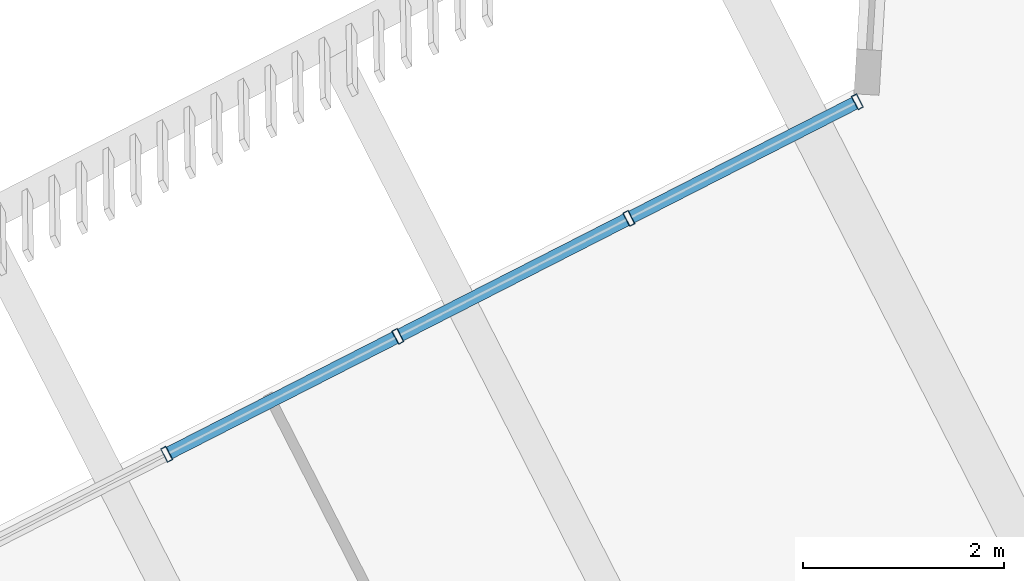
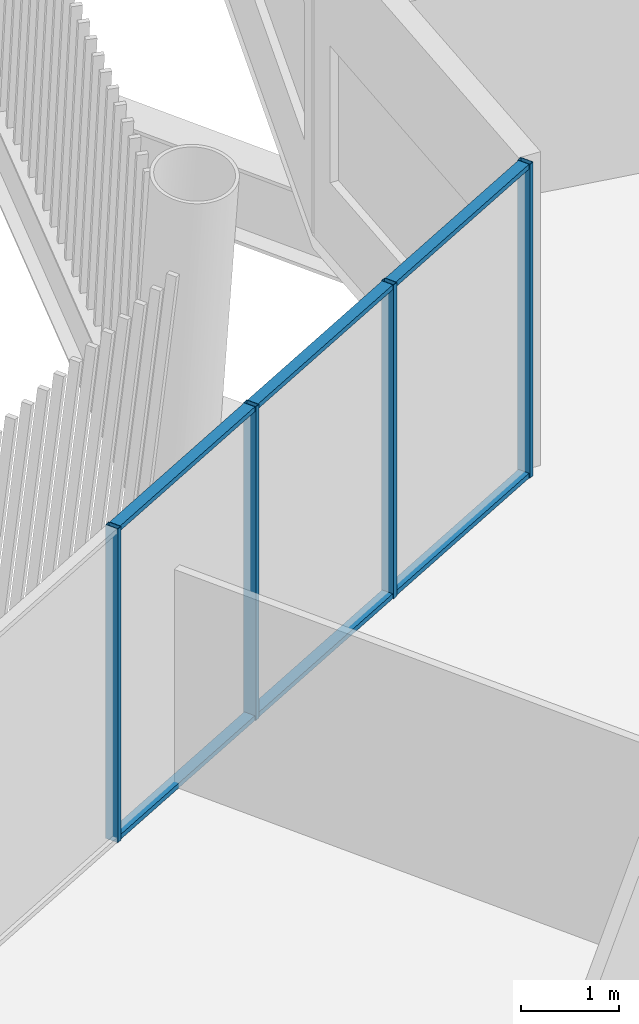
# One storey, part 12 of 28: 10 members, 1 element without a shape of its own.
"""IFC4 building model written with IfcOpenShell, lengths in metres."""

from ifc_helpers import new_model, si_unit, direction, frame, origin, origin_2d, place, context, subcontext, project, spatial, hollow_rectangle, extrude, material, layer, layer_set, material_profile, profile_set, type_object, element, aggregate, save


model = new_model("IFC4")

# Units and contexts
model_context = context("Model", 3, precision=1e-05, world=origin(), true_north=direction((0.0, 1.0)))
body_context = subcontext(model_context, "Body", "Model", "MODEL_VIEW")
ifc_project = project(units=[si_unit("LENGTHUNIT", "METRE"), si_unit("AREAUNIT", "SQUARE_METRE"), si_unit("VOLUMEUNIT", "CUBIC_METRE"), si_unit("PLANEANGLEUNIT", "RADIAN"), si_unit("MASSUNIT", "GRAM", prefix="KILO")], contexts=[model_context])

# Site, building, storey
site_placement = place(None, origin())
site = spatial("IfcSite", under=ifc_project, at=site_placement, CompositionType="ELEMENT")
building_placement = place(site_placement, origin())
building = spatial("IfcBuilding", under=site, at=building_placement, Name="Tarsis Ring Headquarters", CompositionType="ELEMENT")
storey_placement = place(building_placement, frame((0.0, 0.0, 394.39990234375)))
storey = spatial("IfcBuildingStorey", under=building, at=storey_placement, Name="L93", CompositionType="ELEMENT", Elevation=394.39990234375)

# Curtain wall, members
ifc_material_1 = material(Name="Aluminium curtain wall", Category="aluminium")
ifc_layer = layer(ifc_material_1, 0.14990234375)
ifc_layer_set = layer_set([ifc_layer], Name="Curtain wall tower unit")
curtain_wall_type = type_object("IfcCurtainWallType", Name="Curtain wall tower unit", PredefinedType="NOTDEFINED", material=ifc_layer_set)
curtain_wall_placement = place(storey_placement, origin())
curtain_wall = element("IfcCurtainWall", 1, at=curtain_wall_placement, inside=storey, type_object=curtain_wall_type, Name="Curtain wall L93-31", PredefinedType="NOTDEFINED")
ifc_material_2 = material(Name="Aluminium mullion", Category="aluminium")
ifc_material_profile_1 = material_profile(ifc_material_2, hollow_rectangle(XDim=0.14990234375, YDim=0.06005859375, WallThickness=0.0048828125, at=origin_2d()), Name="RHS 150x60x5")
ifc_profile_set_1 = profile_set([ifc_material_profile_1], Name="Aluminium mullion")
member_type_1 = type_object("IfcMemberType", Name="Curtain wall mullion tower unit RHS 150x60x5", PredefinedType="MULLION", material=ifc_profile_set_1)
member_1_placement = place(storey_placement, frame((-25.7763671875, 0.176025390625, 0.0), z_axis=(0.0, 0.0, 1.0), x_axis=(0.454612459657, -0.890689346251, 0.0)))
member_1 = element("IfcMember", 2, at=member_1_placement, type_object=member_type_1, Name="CW-T mullion 1", PredefinedType="MULLION", context=body_context, shape_type="SweptSolid", body=[
    extrude(hollow_rectangle(XDim=0.14990234375, YDim=0.06005859375, WallThickness=0.0048828125, at=origin_2d()), origin(), (0.0, 0.0, 1.0), 3.900146484375),
])
member_2_placement = place(storey_placement, frame((-28.0478515625, -0.9833984375, 0.0), z_axis=(0.0, 0.0, 1.0), x_axis=(0.454612459657, -0.890689346251, 0.0)))
member_2 = element("IfcMember", 3, at=member_2_placement, type_object=member_type_1, Name="CW-T mullion 2", PredefinedType="MULLION", context=body_context, shape_type="SweptSolid", body=[
    extrude(hollow_rectangle(XDim=0.14990234375, YDim=0.06005859375, WallThickness=0.0048828125, at=origin_2d()), origin(), (0.0, 0.0, 1.0), 3.900146484375),
])
member_3_placement = place(storey_placement, frame((-30.345947265625, -2.156494140625, 0.0), z_axis=(0.0, 0.0, 1.0), x_axis=(0.454612459657, -0.890689346251, 0.0)))
member_3 = element("IfcMember", 4, at=member_3_placement, type_object=member_type_1, Name="CW-T mullion 3", PredefinedType="MULLION", context=body_context, shape_type="SweptSolid", body=[
    extrude(hollow_rectangle(XDim=0.14990234375, YDim=0.06005859375, WallThickness=0.0048828125, at=origin_2d()), origin(), (0.0, 0.0, 1.0), 3.900146484375),
])
member_4_placement = place(storey_placement, frame((-32.644287109375, -3.329345703125, 0.0), z_axis=(0.0, 0.0, 1.0), x_axis=(0.454612459657, -0.890689346251, 0.0)))
member_4 = element("IfcMember", 5, at=member_4_placement, type_object=member_type_1, Name="CW-T mullion 4", PredefinedType="MULLION", context=body_context, shape_type="SweptSolid", body=[
    extrude(hollow_rectangle(XDim=0.14990234375, YDim=0.06005859375, WallThickness=0.0048828125, at=origin_2d()), origin(), (0.0, 0.0, 1.0), 3.900146484375),
])
ifc_material_3 = material(Name="Aluminium transom", Category="aluminium")
ifc_material_profile_2 = material_profile(ifc_material_3, hollow_rectangle(XDim=0.1298828125, YDim=0.06005859375, WallThickness=0.0048828125, at=origin_2d()), Name="RHS 130x60x5")
ifc_profile_set_2 = profile_set([ifc_material_profile_2], Name="Aluminium transom")
member_type_2 = type_object("IfcMemberType", Name="Curtain wall transom tower unit RHS 130x60x5", PredefinedType="USERDEFINED", material=ifc_profile_set_2)
member_5_placement = place(storey_placement, frame((-25.802978515625, 0.162353515625, 0.030029296875), z_axis=(-0.890690580723, -0.454610041036, 0.0), x_axis=(0.454610041036, -0.890690580723, 0.0)))
member_5 = element("IfcMember", 6, at=member_5_placement, type_object=member_type_2, Name="CW-T transom 1.1", ObjectType="TRANSOM", PredefinedType="USERDEFINED", context=body_context, shape_type="SweptSolid", body=[
    extrude(hollow_rectangle(XDim=0.1298828125, YDim=0.06005859375, WallThickness=0.0048828125, at=origin_2d()), origin(), (0.0, 0.0, 1.0), 2.490234375),
])
member_6_placement = place(storey_placement, frame((-25.802978515625, 0.162353515625, 3.8701171875), z_axis=(-0.890690580723, -0.454610041036, 0.0), x_axis=(0.454610041036, -0.890690580723, 0.0)))
member_6 = element("IfcMember", 7, at=member_6_placement, type_object=member_type_2, Name="CW-T transom 1.2", ObjectType="TRANSOM", PredefinedType="USERDEFINED", context=body_context, shape_type="SweptSolid", body=[
    extrude(hollow_rectangle(XDim=0.1298828125, YDim=0.06005859375, WallThickness=0.0048828125, at=origin_2d()), origin(), (0.0, 0.0, 1.0), 2.490234375),
])
member_7_placement = place(storey_placement, frame((-28.074462890625, -0.9970703125, 0.030029296875), z_axis=(-0.890696236403, -0.454598960026, 0.0), x_axis=(0.454598960026, -0.890696236403, 0.0)))
member_7 = element("IfcMember", 8, at=member_7_placement, type_object=member_type_2, Name="CW-T transom 2.1", ObjectType="TRANSOM", PredefinedType="USERDEFINED", context=body_context, shape_type="SweptSolid", body=[
    extrude(hollow_rectangle(XDim=0.1298828125, YDim=0.06005859375, WallThickness=0.0048828125, at=origin_2d()), origin(), (0.0, 0.0, 1.0), 2.520263671875),
])
member_8_placement = place(storey_placement, frame((-28.074462890625, -0.9970703125, 3.8701171875), z_axis=(-0.890696236403, -0.454598960026, 0.0), x_axis=(0.454598960026, -0.890696236403, 0.0)))
member_8 = element("IfcMember", 9, at=member_8_placement, type_object=member_type_2, Name="CW-T transom 2.2", ObjectType="TRANSOM", PredefinedType="USERDEFINED", context=body_context, shape_type="SweptSolid", body=[
    extrude(hollow_rectangle(XDim=0.1298828125, YDim=0.06005859375, WallThickness=0.0048828125, at=origin_2d()), origin(), (0.0, 0.0, 1.0), 2.520263671875),
])
member_9_placement = place(storey_placement, frame((-30.372802734375, -2.169921875, 0.030029296875), z_axis=(-0.890676215164, -0.45463818553, 0.0), x_axis=(0.45463818553, -0.890676215164, 0.0)))
member_9 = element("IfcMember", 10, at=member_9_placement, type_object=member_type_2, Name="CW-T transom 3.1", ObjectType="TRANSOM", PredefinedType="USERDEFINED", context=body_context, shape_type="SweptSolid", body=[
    extrude(hollow_rectangle(XDim=0.1298828125, YDim=0.06005859375, WallThickness=0.0048828125, at=origin_2d()), origin(), (0.0, 0.0, 1.0), 2.52001953125),
])
member_10_placement = place(storey_placement, frame((-30.372802734375, -2.169921875, 3.8701171875), z_axis=(-0.890676215164, -0.45463818553, 0.0), x_axis=(0.45463818553, -0.890676215164, 0.0)))
member_10 = element("IfcMember", 11, at=member_10_placement, type_object=member_type_2, Name="CW-T transom 3.2", ObjectType="TRANSOM", PredefinedType="USERDEFINED", context=body_context, shape_type="SweptSolid", body=[
    extrude(hollow_rectangle(XDim=0.1298828125, YDim=0.06005859375, WallThickness=0.0048828125, at=origin_2d()), origin(), (0.0, 0.0, 1.0), 2.52001953125),
])
aggregate(curtain_wall, [member_1, member_2, member_3, member_4, member_5, member_6, member_7, member_8, member_9, member_10])

save(model, "model.ifc")
